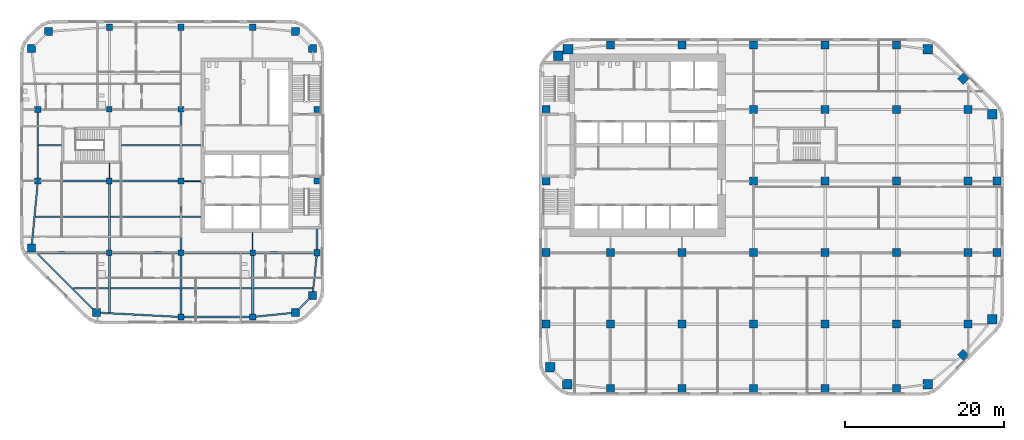
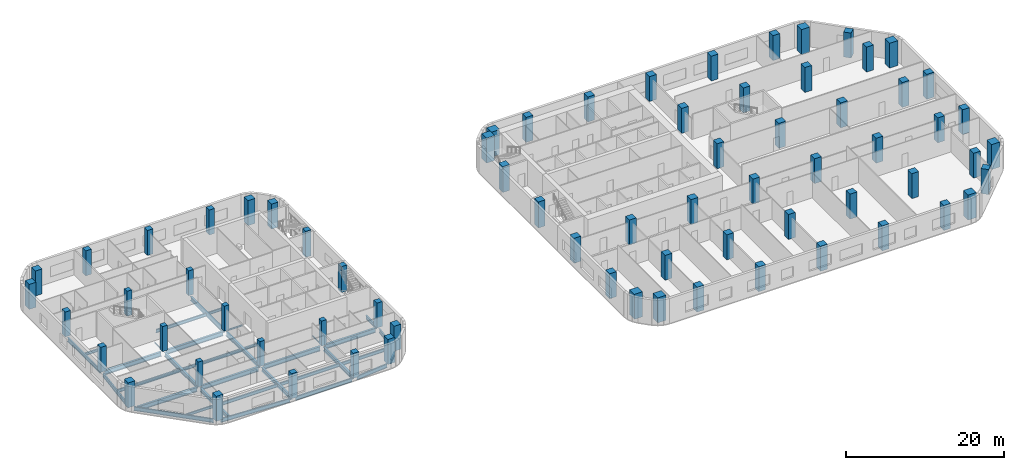
# One storey, part 1 of 16: 71 columns, 34 beams.
"""IFC4 building model written with IfcOpenShell, lengths in metres."""

import ifcopenshell
import ifcopenshell.guid

model = None  # the IFC model being written
_history = None  # IfcOwnerHistory: only IFC2X3 demands one
_inside = {}  # id of a spatial element -> (the spatial element, [elements in it])
_under = {}  # id of a project, library or spatial element -> (it, [spatial elements below it])
_declared = {}  # id of a project -> (the project, [libraries it declares])
_typed = {}  # id of a type object -> (the type object, [elements of that type])
_made_of = {}  # id of a material, layer set ... -> (it, [elements and type objects made of it])


def new_model(schema):
    """Start an empty IFC model of exactly this schema.

    Asked for "IFC4X3", IfcOpenShell would pick the latest addendum, in which some entities
    have other attributes; the version numbers below select the first issue.
    IFC2X3 requires an IfcOwnerHistory on every rooted entity: one is made here for all.
    """
    global model, _history
    if schema == "IFC4X3":
        model = ifcopenshell.file(schema_version=(4, 3, 0, 0))
    else:
        model = ifcopenshell.file(schema=schema)
    _inside.clear()
    _under.clear()
    _declared.clear()
    _typed.clear()
    _made_of.clear()
    _history = None
    if model.schema == "IFC2X3":
        org = make("IfcOrganization", Name="unknown")
        user = make(
            "IfcPersonAndOrganization",
            ThePerson=make("IfcPerson", FamilyName="unknown"),
            TheOrganization=org,
        )
        app = make(
            "IfcApplication",
            ApplicationDeveloper=org,
            Version="unknown",
            ApplicationFullName="unknown",
            ApplicationIdentifier="unknown",
        )
        _history = make(
            "IfcOwnerHistory",
            OwningUser=user,
            OwningApplication=app,
            ChangeAction="ADDED",
            CreationDate=0,
        )
    return model


def make(cls, **values):
    """One entity of the class cls with the attributes given. An attribute that is None is left unset."""
    return model.create_entity(
        cls, **{name: value for name, value in values.items() if value is not None}
    )


def rooted(cls, **values):
    """An entity with a GlobalId (a new one), such as an element, a storey or a relation."""
    return make(cls, GlobalId=ifcopenshell.guid.new(), OwnerHistory=_history, **values)


def si_unit(unit_type, name, prefix=None):
    """IfcSIUnit, for example si_unit("LENGTHUNIT", "METRE", prefix="MILLI")."""
    return make("IfcSIUnit", UnitType=unit_type, Prefix=prefix, Name=name)


def assignment(units):
    """IfcUnitAssignment: the units of a project."""
    return None if units is None else make("IfcUnitAssignment", Units=units)


def point(xyz):
    """IfcCartesianPoint."""
    return None if xyz is None else make("IfcCartesianPoint", Coordinates=xyz)


def direction(xyz):
    """IfcDirection."""
    return None if xyz is None else make("IfcDirection", DirectionRatios=xyz)


def frame(location, z_axis=None, x_axis=None):
    """IfcAxis2Placement3D, a coordinate frame: its origin and axes. An axis left out is left unset."""
    return make(
        "IfcAxis2Placement3D",
        Location=point(location),
        Axis=direction(z_axis),
        RefDirection=direction(x_axis),
    )


def frame_2d(location, x_axis=None):
    """IfcAxis2Placement2D, a coordinate frame in the plane: its origin and x axis."""
    return make(
        "IfcAxis2Placement2D", Location=point(location), RefDirection=direction(x_axis)
    )


def origin():
    """The frame at (0, 0, 0) with its axes left unset."""
    return frame((0.0, 0.0, 0.0))


def origin_2d():
    """The frame at (0, 0) in the plane with its x axis left unset."""
    return frame_2d((0.0, 0.0))


def place(relative_to, where):
    """IfcLocalPlacement: puts the frame where relative to a parent placement (None: the world)."""
    return make(
        "IfcLocalPlacement", PlacementRelTo=relative_to, RelativePlacement=where
    )


def context(
    kind, dimensions, precision=None, world=None, true_north=None, identifier=None
):
    """IfcGeometricRepresentationContext, for example the 3D "Model" context."""
    return make(
        "IfcGeometricRepresentationContext",
        ContextIdentifier=identifier,
        ContextType=kind,
        CoordinateSpaceDimension=dimensions,
        Precision=precision,
        WorldCoordinateSystem=world,
        TrueNorth=true_north,
    )


def subcontext(parent, identifier, kind, view, scale=None):
    """IfcGeometricRepresentationSubContext, for example "Body" below "Model"."""
    return make(
        "IfcGeometricRepresentationSubContext",
        ContextIdentifier=identifier,
        ContextType=kind,
        ParentContext=parent,
        TargetScale=scale,
        TargetView=view,
    )


def project(units=None, contexts=None):
    """IfcProject with its units and contexts."""
    return rooted(
        "IfcProject",
        Name="project",
        RepresentationContexts=contexts,
        UnitsInContext=assignment(units),
    )


def spatial(cls, under=None, at=None, **own):
    """A site, building, storey or space (cls), placed at a placement, below another one or the project."""
    s = rooted(cls, ObjectPlacement=at, **own)
    if under is not None:
        _under.setdefault(under.id(), (under, []))[1].append(s)
    return s


def profile(cls, at=None, kind="AREA", **sizes):
    """A parametric profile (cls). Its sizes go by their IFC names, for example OverallWidth=200.0."""
    return make(cls, ProfileType=kind, Position=at, **sizes)


def rectangle(**sizes):
    """IfcRectangleProfileDef."""
    return profile("IfcRectangleProfileDef", **sizes)


def i_section(**sizes):
    """IfcIShapeProfileDef."""
    return profile("IfcIShapeProfileDef", **sizes)


def extrude(swept, where, along, depth):
    """IfcExtrudedAreaSolid: the profile swept, set in the frame where, extruded along a direction by depth."""
    return make(
        "IfcExtrudedAreaSolid",
        SweptArea=swept,
        Position=where,
        ExtrudedDirection=direction(along),
        Depth=depth,
    )


def shape(context_of_items, identifier, shape_type, items):
    """IfcShapeRepresentation: the items that make up one representation, for example the "Body"."""
    return make(
        "IfcShapeRepresentation",
        ContextOfItems=context_of_items,
        RepresentationIdentifier=identifier,
        RepresentationType=shape_type,
        Items=items,
    )


def material(Name=None, Category=None):
    """IfcMaterial."""
    return make("IfcMaterial", Name=Name, Category=Category)


def material_profile(
    of_material, cross_section, Name=None, Category=None, Priority=None
):
    """IfcMaterialProfile: a cross section and its material."""
    return make(
        "IfcMaterialProfile",
        Name=Name,
        Material=of_material,
        Profile=cross_section,
        Priority=Priority,
        Category=Category,
    )


def profile_set(profiles, Name=None, composite=None):
    """IfcMaterialProfileSet."""
    return make(
        "IfcMaterialProfileSet",
        Name=Name,
        MaterialProfiles=profiles,
        CompositeProfile=composite,
    )


def made_of(thing, what):
    """Note that an element or type object is made of a material, layer set ...; save() writes the relation."""
    if what is not None:
        _made_of.setdefault(what.id(), (what, []))[1].append(thing)
    return thing


def type_object(cls, material=None, **own):
    """A type object (cls), such as IfcWallType, which elements share."""
    return made_of(rooted(cls, **own), material)


def element(
    cls,
    number,
    at=None,
    inside=None,
    cuts=None,
    type_object=None,
    material=None,
    context=None,
    identifier="Body",
    shape_type=None,
    held_by="IfcProductDefinitionShape",
    body=None,
    shapes=None,
    **own,
):
    """One element of the class cls, such as IfcWall. Its Tag is "e" and its number.

    at: its placement. inside: the storey or other place that contains it. cuts: it is an
    opening in that element (IfcRelVoidsElement). A single representation is given by context,
    identifier, shape_type and body (its items); several are given by shapes. held_by: the class
    of the entity that holds the representations. save() writes the other relations.
    """
    e = rooted(cls, Tag="e%d" % number, ObjectPlacement=at, **own)
    if body is not None:
        shapes = [shape(context, identifier, shape_type, body)]
    if shapes is not None:
        e.Representation = make(held_by, Representations=shapes)
    if inside is not None:
        _inside.setdefault(inside.id(), (inside, []))[1].append(e)
    if cuts is not None:
        rooted(
            "IfcRelVoidsElement", RelatingBuildingElement=cuts, RelatedOpeningElement=e
        )
    if type_object is not None:
        _typed.setdefault(type_object.id(), (type_object, []))[1].append(e)
    return made_of(e, material)


def aggregate(whole, parts):
    """IfcRelAggregates: a whole, such as a stair, and the parts it consists of."""
    return rooted("IfcRelAggregates", RelatingObject=whole, RelatedObjects=parts)


def save(model, path):
    """Write the relations noted so far, then the file.

    IfcRelAggregates (storeys below a building ...), IfcRelContainedInSpatialStructure (elements
    in a storey), IfcRelDefinesByType, IfcRelAssociatesMaterial and IfcRelDeclares: one each for
    every whole, place, type object, material and project.
    """
    for whole, parts in _under.values():
        aggregate(whole, parts)
    for where, things in _inside.values():
        rooted(
            "IfcRelContainedInSpatialStructure",
            RelatedElements=things,
            RelatingStructure=where,
        )
    for kind, things in _typed.values():
        rooted("IfcRelDefinesByType", RelatedObjects=things, RelatingType=kind)
    for what, things in _made_of.values():
        rooted("IfcRelAssociatesMaterial", RelatedObjects=things, RelatingMaterial=what)
    for by, libraries in _declared.values():
        rooted("IfcRelDeclares", RelatingContext=by, RelatedDefinitions=libraries)
    model.write(path)


model = new_model("IFC4")

# Units and contexts
model_context = context("Model", 3, precision=1e-05, world=origin(), true_north=direction((0.0, 1.0)))
body_context = subcontext(model_context, "Body", "Model", "MODEL_VIEW")
ifc_project = project(units=[si_unit("LENGTHUNIT", "METRE"), si_unit("AREAUNIT", "SQUARE_METRE"), si_unit("VOLUMEUNIT", "CUBIC_METRE"), si_unit("PLANEANGLEUNIT", "RADIAN"), si_unit("MASSUNIT", "GRAM", prefix="KILO")], contexts=[model_context])

# Site, building, storey
site_placement = place(None, origin())
site = spatial("IfcSite", under=ifc_project, at=site_placement, CompositionType="ELEMENT")
building_placement = place(site_placement, origin())
building = spatial("IfcBuilding", under=site, at=building_placement, Name="Cinnabar Reach Civic Tower", CompositionType="ELEMENT")
storey_placement = place(building_placement, frame((0.0, 0.0, 83.0)))
storey = spatial("IfcBuildingStorey", under=building, at=storey_placement, Name="L19", CompositionType="ELEMENT", Elevation=83.0)

# Columns
ifc_material_1 = material(Name="Concrete C70", Category="concrete")
ifc_material_profile_1 = material_profile(ifc_material_1, rectangle(XDim=1.0, YDim=1.0, at=origin_2d()), Name="RC1000")
ifc_profile_set_1 = profile_set([ifc_material_profile_1], Name="Concrete C70")
column_type_1 = type_object("IfcColumnType", Name="RC1000 column R 180", PredefinedType="COLUMN", material=ifc_profile_set_1)
for number, where, z_axis, x_axis, name in (
    (1, (-55.6481, 10.4531, 0.0), (0.0, 0.0, 1.0), (1.0, 0.0, 0.0), "Column T2-Z2-CC0"),
    (2, (-30.6019, 10.4531, 0.0), (0.0, 0.0, 1.0), (1.0, 0.0, 0.0), "Column T2-Z2-CC1"),
    (3, (-28.4531, 12.6019, 0.0), (0.0, 0.0, 1.0), (1.0, 0.0, 0.0), "Column T2-Z2-CC2"),
    (4, (-28.4531, 43.6481, 0.0), (0.0, 0.0, 1.0), (1.0, 0.0, 0.0), "Column T2-Z2-CC3"),
    (5, (-30.6019, 45.7969, 0.0), (0.0, 0.0, 1.0), (1.0, 0.0, 0.0), "Column T2-Z2-CC4"),
    (6, (-61.6481, 45.7969, 0.0), (0.0, 0.0, 1.0), (1.0, 0.0, 0.0), "Column T2-Z2-CC5"),
    (7, (-63.7969, 43.6481, 0.0), (0.0, 0.0, 1.0), (1.0, 0.0, 0.0), "Column T2-Z2-CC6"),
    (8, (-63.7969, 18.6019, 0.0), (0.0, 0.0, 1.0), (1.0, 0.0, 0.0), "Column T2-Z2-CC7"),
):
    element("IfcColumn", number, at=place(storey_placement, frame(where, z_axis=z_axis, x_axis=x_axis)), inside=storey, type_object=column_type_1, Name=name, PredefinedType="COLUMN", context=body_context, shape_type="SweptSolid", body=[
        extrude(rectangle(XDim=1.0, YDim=1.0, at=origin_2d()), origin(), (0.0, 0.0, 1.0), 3.85),
    ])
ifc_material_profile_2 = material_profile(ifc_material_1, rectangle(XDim=1.0, YDim=1.0, at=origin_2d()), Name="RC1000")
ifc_profile_set_2 = profile_set([ifc_material_profile_2], Name="Concrete C70")
column_type_2 = type_object("IfcColumnType", Name="RC1000 column R 240", PredefinedType="COLUMN", material=ifc_profile_set_2)
for number, where, z_axis, x_axis, name in (
    (9, (9.0, 0.9, 0.0), (0.0, 0.0, 1.0), (1.0, 0.0, 0.0), "Column T1-Z1-F0-1"),
    (10, (18.0, 0.9, 0.0), (0.0, 0.0, 1.0), (1.0, 0.0, 0.0), "Column T1-Z1-F0-2"),
    (11, (27.0, 0.9, 0.0), (0.0, 0.0, 1.0), (1.0, 0.0, 0.0), "Column T1-Z1-F0-3"),
    (12, (36.0, 0.9, 0.0), (0.0, 0.0, 1.0), (1.0, 0.0, 0.0), "Column T1-Z1-F0-4"),
    (13, (45.0, 0.9, 0.0), (0.0, 0.0, 1.0), (1.0, 0.0, 0.0), "Column T1-Z1-F0-5"),
    (14, (53.3636, 5.1364, 0.0), (0.0, 0.0, 1.0), (0.707106781187, 0.707106781187, 0.0), "Column T1-Z1-F1-M"),
    (15, (57.6, 18.0, 0.0), (0.0, 0.0, 1.0), (1.0, 0.0, 0.0), "Column T1-Z1-F2-2"),
    (16, (57.6, 27.0, 0.0), (0.0, 0.0, 1.0), (1.0, 0.0, 0.0), "Column T1-Z1-F2-3"),
    (17, (53.3636, 39.8636, 0.0), (0.0, 0.0, 1.0), (0.707106781187, 0.707106781187, 0.0), "Column T1-Z1-F3-M"),
    (18, (9.0, 44.1, 0.0), (0.0, 0.0, 1.0), (1.0, 0.0, 0.0), "Column T1-Z1-F4-1"),
    (19, (18.0, 44.1, 0.0), (0.0, 0.0, 1.0), (1.0, 0.0, 0.0), "Column T1-Z1-F4-2"),
    (20, (27.0, 44.1, 0.0), (0.0, 0.0, 1.0), (1.0, 0.0, 0.0), "Column T1-Z1-F4-3"),
    (21, (36.0, 44.1, 0.0), (0.0, 0.0, 1.0), (1.0, 0.0, 0.0), "Column T1-Z1-F4-4"),
    (22, (45.0, 44.1, 0.0), (0.0, 0.0, 1.0), (1.0, 0.0, 0.0), "Column T1-Z1-F4-5"),
    (23, (0.9, 9.0, 0.0), (0.0, 0.0, 1.0), (1.0, 0.0, 0.0), "Column T1-Z1-F6-1"),
    (24, (0.9, 18.0, 0.0), (0.0, 0.0, 1.0), (1.0, 0.0, 0.0), "Column T1-Z1-F6-2"),
):
    element("IfcColumn", number, at=place(storey_placement, frame(where, z_axis=z_axis, x_axis=x_axis)), inside=storey, type_object=column_type_2, Name=name, PredefinedType="COLUMN", context=body_context, shape_type="SweptSolid", body=[
        extrude(rectangle(XDim=1.0, YDim=1.0, at=origin_2d()), origin(), (0.0, 0.0, 1.0), 3.85),
    ])
for number, where, z_axis, x_axis, name in (
    (25, (0.9, 27.0, 0.0), (0.0, 0.0, 1.0), (1.0, 0.0, 0.0), "Column T1-Z1-F6-3"),
    (26, (0.9, 36.0, 0.0), (0.0, 0.0, 1.0), (1.0, 0.0, 0.0), "Column T1-Z1-F6-4"),
):
    element("IfcColumn", number, at=place(storey_placement, frame(where, z_axis=z_axis, x_axis=x_axis)), inside=storey, type_object=column_type_2, Name=name, PredefinedType="COLUMN", context=body_context, shape_type="SweptSolid", body=[
        extrude(rectangle(XDim=1.0, YDim=1.0, at=origin_2d()), origin(), (0.0, 0.0, 1.0), 4.0),
    ])
for number, where, z_axis, x_axis, name in (
    (27, (9.0, 9.0, 0.0), (0.0, 0.0, 1.0), (1.0, 0.0, 0.0), "Column T1-Z1-I9_9"),
    (28, (9.0, 18.0, 0.0), (0.0, 0.0, 1.0), (1.0, 0.0, 0.0), "Column T1-Z1-I9_18"),
    (29, (18.0, 9.0, 0.0), (0.0, 0.0, 1.0), (1.0, 0.0, 0.0), "Column T1-Z1-I18_9"),
    (30, (18.0, 18.0, 0.0), (0.0, 0.0, 1.0), (1.0, 0.0, 0.0), "Column T1-Z1-I18_18"),
    (31, (27.0, 9.0, 0.0), (0.0, 0.0, 1.0), (1.0, 0.0, 0.0), "Column T1-Z1-I27_9"),
    (32, (27.0, 18.0, 0.0), (0.0, 0.0, 1.0), (1.0, 0.0, 0.0), "Column T1-Z1-I27_18"),
    (33, (27.0, 27.0, 0.0), (0.0, 0.0, 1.0), (1.0, 0.0, 0.0), "Column T1-Z1-I27_27"),
    (34, (27.0, 36.0, 0.0), (0.0, 0.0, 1.0), (1.0, 0.0, 0.0), "Column T1-Z1-I27_36"),
    (35, (36.0, 9.0, 0.0), (0.0, 0.0, 1.0), (1.0, 0.0, 0.0), "Column T1-Z1-I36_9"),
    (36, (36.0, 18.0, 0.0), (0.0, 0.0, 1.0), (1.0, 0.0, 0.0), "Column T1-Z1-I36_18"),
    (37, (36.0, 27.0, 0.0), (0.0, 0.0, 1.0), (1.0, 0.0, 0.0), "Column T1-Z1-I36_27"),
    (38, (36.0, 36.0, 0.0), (0.0, 0.0, 1.0), (1.0, 0.0, 0.0), "Column T1-Z1-I36_36"),
    (39, (45.0, 9.0, 0.0), (0.0, 0.0, 1.0), (1.0, 0.0, 0.0), "Column T1-Z1-I45_9"),
    (40, (45.0, 18.0, 0.0), (0.0, 0.0, 1.0), (1.0, 0.0, 0.0), "Column T1-Z1-I45_18"),
    (41, (45.0, 27.0, 0.0), (0.0, 0.0, 1.0), (1.0, 0.0, 0.0), "Column T1-Z1-I45_27"),
    (42, (45.0, 36.0, 0.0), (0.0, 0.0, 1.0), (1.0, 0.0, 0.0), "Column T1-Z1-I45_36"),
    (43, (54.0, 9.0, 0.0), (0.0, 0.0, 1.0), (1.0, 0.0, 0.0), "Column T1-Z1-I54_9"),
    (44, (54.0, 18.0, 0.0), (0.0, 0.0, 1.0), (1.0, 0.0, 0.0), "Column T1-Z1-I54_18"),
    (45, (54.0, 27.0, 0.0), (0.0, 0.0, 1.0), (1.0, 0.0, 0.0), "Column T1-Z1-I54_27"),
    (46, (54.0, 36.0, 0.0), (0.0, 0.0, 1.0), (1.0, 0.0, 0.0), "Column T1-Z1-I54_36"),
):
    element("IfcColumn", number, at=place(storey_placement, frame(where, z_axis=z_axis, x_axis=x_axis)), inside=storey, type_object=column_type_2, Name=name, PredefinedType="COLUMN", context=body_context, shape_type="SweptSolid", body=[
        extrude(rectangle(XDim=1.0, YDim=1.0, at=origin_2d()), origin(), (0.0, 0.0, 1.0), 3.85),
    ])
ifc_material_2 = material(Name="Concrete C80", Category="concrete")
ifc_material_profile_3 = material_profile(ifc_material_2, rectangle(XDim=1.2, YDim=1.2, at=origin_2d()), Name="RC1200")
ifc_profile_set_3 = profile_set([ifc_material_profile_3], Name="Concrete C80")
column_type_3 = type_object("IfcColumnType", Name="RC1200 column R 240", PredefinedType="COLUMN", material=ifc_profile_set_3)
for number, where, z_axis, x_axis, name in (
    (47, (3.6019, 1.4531, 0.0), (0.0, 0.0, 1.0), (1.0, 0.0, 0.0), "Column T1-Z1-CC0"),
    (48, (48.8981, 1.4531, 0.0), (0.0, 0.0, 1.0), (1.0, 0.0, 0.0), "Column T1-Z1-CC1"),
    (49, (57.0469, 9.6019, 0.0), (0.0, 0.0, 1.0), (1.0, 0.0, 0.0), "Column T1-Z1-CC2"),
    (50, (57.0469, 35.3981, 0.0), (0.0, 0.0, 1.0), (1.0, 0.0, 0.0), "Column T1-Z1-CC3"),
    (51, (48.8981, 43.5469, 0.0), (0.0, 0.0, 1.0), (1.0, 0.0, 0.0), "Column T1-Z1-CC4"),
    (52, (3.6666, 43.5737, 0.0), (0.0, 0.0, 1.0), (1.0, 0.0, 0.0), "Column T1-Z1-CC5"),
    (53, (2.4631, 42.75, 0.0), (0.0, 0.0, 1.0), (1.0, 0.0, 0.0), "Column T1-Z1-CC6"),
    (54, (1.4531, 3.6019, 0.0), (0.0, 0.0, 1.0), (1.0, 0.0, 0.0), "Column T1-Z1-CC7"),
):
    element("IfcColumn", number, at=place(storey_placement, frame(where, z_axis=z_axis, x_axis=x_axis)), inside=storey, type_object=column_type_3, Name=name, PredefinedType="COLUMN", context=body_context, shape_type="SweptSolid", body=[
        extrude(rectangle(XDim=1.2, YDim=1.2, at=origin_2d()), origin(), (0.0, 0.0, 1.0), 3.85),
    ])
ifc_material_3 = material(Name="Concrete C60", Category="concrete")
ifc_material_profile_4 = material_profile(ifc_material_3, rectangle(XDim=0.7, YDim=0.7, at=origin_2d()), Name="RC700")
ifc_profile_set_4 = profile_set([ifc_material_profile_4], Name="Concrete C60")
column_type_4 = type_object("IfcColumnType", Name="RC700 column R 180", PredefinedType="COLUMN", material=ifc_profile_set_4)
for number, where, z_axis, x_axis, name in (
    (55, (-54.0, 18.0, 0.0), (0.0, 0.0, 1.0), (1.0, 0.0, 0.0), "Column T2-Z2-I-54_18"),
    (56, (-54.0, 27.0, 0.0), (0.0, 0.0, 1.0), (1.0, 0.0, 0.0), "Column T2-Z2-I-54_27"),
    (57, (-54.0, 36.0, 0.0), (0.0, 0.0, 1.0), (1.0, 0.0, 0.0), "Column T2-Z2-I-54_36"),
    (58, (-45.0, 18.0, 0.0), (0.0, 0.0, 1.0), (1.0, 0.0, 0.0), "Column T2-Z2-I-45_18"),
    (59, (-45.0, 27.0, 0.0), (0.0, 0.0, 1.0), (1.0, 0.0, 0.0), "Column T2-Z2-I-45_27"),
    (60, (-45.0, 36.0, 0.0), (0.0, 0.0, 1.0), (1.0, 0.0, 0.0), "Column T2-Z2-I-45_36"),
    (61, (-36.0, 18.0, 0.0), (0.0, 0.0, 1.0), (1.0, 0.0, 0.0), "Column T2-Z2-I-36_18"),
):
    element("IfcColumn", number, at=place(storey_placement, frame(where, z_axis=z_axis, x_axis=x_axis)), inside=storey, type_object=column_type_4, Name=name, PredefinedType="COLUMN", context=body_context, shape_type="SweptSolid", body=[
        extrude(rectangle(XDim=0.7, YDim=0.7, at=origin_2d()), origin(), (0.0, 0.0, 1.0), 3.85),
    ])
ifc_material_profile_5 = material_profile(ifc_material_3, rectangle(XDim=0.8, YDim=0.8, at=origin_2d()), Name="RC800")
ifc_profile_set_5 = profile_set([ifc_material_profile_5], Name="Concrete C60")
column_type_5 = type_object("IfcColumnType", Name="RC800 column R 180", PredefinedType="COLUMN", material=ifc_profile_set_5)
for number, where, z_axis, x_axis, name in (
    (62, (-45.0, 9.9, 0.0), (0.0, 0.0, 1.0), (1.0, 0.0, 0.0), "Column T2-Z2-F0--5"),
    (63, (-36.0, 9.9, 0.0), (0.0, 0.0, 1.0), (1.0, 0.0, 0.0), "Column T2-Z2-F0--4"),
    (64, (-27.9, 18.0, 0.0), (0.0, 0.0, 1.0), (1.0, 0.0, 0.0), "Column T2-Z2-F2-2"),
):
    element("IfcColumn", number, at=place(storey_placement, frame(where, z_axis=z_axis, x_axis=x_axis)), inside=storey, type_object=column_type_5, Name=name, PredefinedType="COLUMN", context=body_context, shape_type="SweptSolid", body=[
        extrude(rectangle(XDim=0.8, YDim=0.8, at=origin_2d()), origin(), (0.0, 0.0, 1.0), 3.85),
    ])
for number, where, z_axis, x_axis, name in (
    (65, (-27.9, 27.0, 0.0), (0.0, 0.0, 1.0), (1.0, 0.0, 0.0), "Column T2-Z2-F2-3"),
    (66, (-27.9, 36.0, 0.0), (0.0, 0.0, 1.0), (1.0, 0.0, 0.0), "Column T2-Z2-F2-4"),
):
    element("IfcColumn", number, at=place(storey_placement, frame(where, z_axis=z_axis, x_axis=x_axis)), inside=storey, type_object=column_type_5, Name=name, PredefinedType="COLUMN", context=body_context, shape_type="SweptSolid", body=[
        extrude(rectangle(XDim=0.8, YDim=0.8, at=origin_2d()), origin(), (0.0, 0.0, 1.0), 4.0),
    ])
for number, where, z_axis, x_axis, name in (
    (67, (-54.0, 46.35, 0.0), (0.0, 0.0, 1.0), (1.0, 0.0, 0.0), "Column T2-Z2-F4--6"),
    (68, (-45.0, 46.35, 0.0), (0.0, 0.0, 1.0), (1.0, 0.0, 0.0), "Column T2-Z2-F4--5"),
    (69, (-36.0, 46.35, 0.0), (0.0, 0.0, 1.0), (1.0, 0.0, 0.0), "Column T2-Z2-F4--4"),
    (70, (-63.0, 27.0, 0.0), (0.0, 0.0, 1.0), (1.0, 0.0, 0.0), "Column T2-Z2-F6-3"),
    (71, (-63.0, 36.0, 0.0), (0.0, 0.0, 1.0), (1.0, 0.0, 0.0), "Column T2-Z2-F6-4"),
):
    element("IfcColumn", number, at=place(storey_placement, frame(where, z_axis=z_axis, x_axis=x_axis)), inside=storey, type_object=column_type_5, Name=name, PredefinedType="COLUMN", context=body_context, shape_type="SweptSolid", body=[
        extrude(rectangle(XDim=0.8, YDim=0.8, at=origin_2d()), origin(), (0.0, 0.0, 1.0), 3.85),
    ])

# Beams
ifc_material_4 = material(Name="Steel Q355B", Category="steel")
ifc_material_profile_6 = material_profile(ifc_material_4, i_section(OverallWidth=0.302, OverallDepth=0.594, WebThickness=0.014, FlangeThickness=0.023, FilletRadius=0.016, at=origin_2d()), Name="HM594x302x14x23")
ifc_profile_set_6 = profile_set([ifc_material_profile_6], Name="Steel Q355B")
beam_type_1 = type_object("IfcBeamType", Name="HM594x302x14x23 beam R 120", PredefinedType="BEAM", material=ifc_profile_set_6)
beam_1_placement = place(storey_placement, frame((-54.0, 10.4696, -0.447), z_axis=(0.0, 1.0, 0.0), x_axis=(-1.0, 0.0, 0.0)))
element("IfcBeam", 72, at=beam_1_placement, inside=storey, type_object=beam_type_1, Name="Girder T2 L19 1", PredefinedType="BEAM", context=body_context, shape_type="SweptSolid", body=[
    extrude(i_section(OverallWidth=0.302, OverallDepth=0.594, WebThickness=0.014, FlangeThickness=0.023, FilletRadius=0.016, at=origin_2d()), origin(), (0.0, 0.0, 1.0), 7.1784),
])
beam_2_placement = place(storey_placement, frame((-54.0, 18.352, -0.447), z_axis=(0.0, 1.0, 0.0), x_axis=(-1.0, 0.0, 0.0)))
element("IfcBeam", 73, at=beam_2_placement, inside=storey, type_object=beam_type_1, Name="Girder T2 L19 2", PredefinedType="BEAM", context=body_context, shape_type="SweptSolid", body=[
    extrude(i_section(OverallWidth=0.302, OverallDepth=0.594, WebThickness=0.014, FlangeThickness=0.023, FilletRadius=0.016, at=origin_2d()), origin(), (0.0, 0.0, 1.0), 8.296),
])
beam_3_placement = place(storey_placement, frame((-45.0, 10.302, -0.447), z_axis=(0.0, 1.0, 0.0), x_axis=(-1.0, 0.0, 0.0)))
element("IfcBeam", 74, at=beam_3_placement, inside=storey, type_object=beam_type_1, Name="Girder T2 L19 6", PredefinedType="BEAM", context=body_context, shape_type="SweptSolid", body=[
    extrude(i_section(OverallWidth=0.302, OverallDepth=0.594, WebThickness=0.014, FlangeThickness=0.023, FilletRadius=0.016, at=origin_2d()), origin(), (0.0, 0.0, 1.0), 7.346),
])
for number, where, z_axis, x_axis, name in (
    (75, (-45.0, 18.352, -0.447), (0.0, 1.0, 0.0), (-1.0, 0.0, 0.0), "Girder T2 L19 7"),
    (76, (-45.0, 27.352, -0.447), (0.0, 1.0, 0.0), (-1.0, 0.0, 0.0), "Girder T2 L19 8"),
):
    element("IfcBeam", number, at=place(storey_placement, frame(where, z_axis=z_axis, x_axis=x_axis)), inside=storey, type_object=beam_type_1, Name=name, PredefinedType="BEAM", context=body_context, shape_type="SweptSolid", body=[
        extrude(i_section(OverallWidth=0.302, OverallDepth=0.594, WebThickness=0.014, FlangeThickness=0.023, FilletRadius=0.016, at=origin_2d()), origin(), (0.0, 0.0, 1.0), 8.296),
    ])
beam_4_placement = place(storey_placement, frame((-36.0, 10.302, -0.447), z_axis=(0.0, 1.0, 0.0), x_axis=(-1.0, 0.0, 0.0)))
element("IfcBeam", 77, at=beam_4_placement, inside=storey, type_object=beam_type_1, Name="Girder T2 L19 10", PredefinedType="BEAM", context=body_context, shape_type="SweptSolid", body=[
    extrude(i_section(OverallWidth=0.302, OverallDepth=0.594, WebThickness=0.014, FlangeThickness=0.023, FilletRadius=0.016, at=origin_2d()), origin(), (0.0, 0.0, 1.0), 7.346),
])
ifc_material_profile_7 = material_profile(ifc_material_4, i_section(OverallWidth=0.099, OverallDepth=0.198, WebThickness=0.0045, FlangeThickness=0.007, FilletRadius=0.013, at=origin_2d()), Name="HN200x100x5.5x8")
ifc_profile_set_7 = profile_set([ifc_material_profile_7], Name="Steel Q355B")
beam_type_2 = type_object("IfcBeamType", Name="HN200x100x5.5x8 beam R 120", PredefinedType="BEAM", material=ifc_profile_set_7)
beam_5_placement = place(storey_placement, frame((-54.0, 27.352, -0.249), z_axis=(0.0, 1.0, 0.0), x_axis=(-1.0, 0.0, 0.0)))
element("IfcBeam", 78, at=beam_5_placement, inside=storey, type_object=beam_type_2, Name="Girder T2 L19 3", PredefinedType="BEAM", context=body_context, shape_type="SweptSolid", body=[
    extrude(i_section(OverallWidth=0.099, OverallDepth=0.198, WebThickness=0.0045, FlangeThickness=0.007, FilletRadius=0.013, at=origin_2d()), origin(), (0.0, 0.0, 1.0), 1.896),
])
beam_6_placement = place(storey_placement, frame((-36.0, 18.352, -0.249), z_axis=(0.0, 1.0, 0.0), x_axis=(-1.0, 0.0, 0.0)))
element("IfcBeam", 79, at=beam_6_placement, inside=storey, type_object=beam_type_2, Name="Girder T2 L19 11", PredefinedType="BEAM", context=body_context, shape_type="SweptSolid", body=[
    extrude(i_section(OverallWidth=0.099, OverallDepth=0.198, WebThickness=0.0045, FlangeThickness=0.007, FilletRadius=0.013, at=origin_2d()), origin(), (0.0, 0.0, 1.0), 2.146),
])
ifc_material_profile_8 = material_profile(ifc_material_4, i_section(OverallWidth=0.124, OverallDepth=0.248, WebThickness=0.005, FlangeThickness=0.008, FilletRadius=0.013, at=origin_2d()), Name="HN250x125x6x9")
ifc_profile_set_8 = profile_set([ifc_material_profile_8], Name="Steel Q355B")
beam_type_3 = type_object("IfcBeamType", Name="HN250x125x6x9 beam R 120", PredefinedType="BEAM", material=ifc_profile_set_8)
beam_7_placement = place(storey_placement, frame((-44.648, 27.0, -0.274), z_axis=(1.0, 0.0, 0.0), x_axis=(0.0, 1.0, 0.0)))
element("IfcBeam", 80, at=beam_7_placement, inside=storey, type_object=beam_type_3, Name="Girder T2 L19 7", PredefinedType="BEAM", context=body_context, shape_type="SweptSolid", body=[
    extrude(i_section(OverallWidth=0.124, OverallDepth=0.248, WebThickness=0.005, FlangeThickness=0.008, FilletRadius=0.013, at=origin_2d()), origin(), (0.0, 0.0, 1.0), 2.146),
])
ifc_material_profile_9 = material_profile(ifc_material_4, i_section(OverallWidth=0.199, OverallDepth=0.396, WebThickness=0.007, FlangeThickness=0.011, FilletRadius=0.013, at=origin_2d()), Name="HN396x199x7x11")
ifc_profile_set_9 = profile_set([ifc_material_profile_9], Name="Steel Q355B")
beam_type_4 = type_object("IfcBeamType", Name="HN396x199x7x11 beam R 120", PredefinedType="BEAM", material=ifc_profile_set_9)
beam_8_placement = place(storey_placement, frame((-58.5508, 13.5, -0.348), z_axis=(1.0, 0.0, 0.0), x_axis=(0.0, 1.0, 0.0)))
element("IfcBeam", 81, at=beam_8_placement, inside=storey, type_object=beam_type_4, Name="Secondary beam T2 L19 1", PredefinedType="BEAM", context=body_context, shape_type="SweptSolid", body=[
    extrude(i_section(OverallWidth=0.199, OverallDepth=0.396, WebThickness=0.007, FlangeThickness=0.011, FilletRadius=0.013, at=origin_2d()), origin(), (0.0, 0.0, 1.0), 4.3978),
])
beam_9_placement = place(storey_placement, frame((-44.847, 22.5, -0.348), z_axis=(1.0, 0.0, 0.0), x_axis=(0.0, 1.0, 0.0)))
element("IfcBeam", 82, at=beam_9_placement, inside=storey, type_object=beam_type_4, Name="Secondary beam T2 L19 7", PredefinedType="BEAM", context=body_context, shape_type="SweptSolid", body=[
    extrude(i_section(OverallWidth=0.199, OverallDepth=0.396, WebThickness=0.007, FlangeThickness=0.011, FilletRadius=0.013, at=origin_2d()), origin(), (0.0, 0.0, 1.0), 2.345),
])
beam_10_placement = place(storey_placement, frame((-62.898, 31.5, -0.348), z_axis=(1.0, 0.0, 0.0), x_axis=(0.0, 1.0, 0.0)))
element("IfcBeam", 83, at=beam_10_placement, inside=storey, type_object=beam_type_4, Name="Secondary beam T2 L19 8", PredefinedType="BEAM", context=body_context, shape_type="SweptSolid", body=[
    extrude(i_section(OverallWidth=0.199, OverallDepth=0.396, WebThickness=0.007, FlangeThickness=0.011, FilletRadius=0.013, at=origin_2d()), origin(), (0.0, 0.0, 1.0), 2.896),
])
beam_11_placement = place(storey_placement, frame((-44.847, 31.5, -0.348), z_axis=(1.0, 0.0, 0.0), x_axis=(0.0, 1.0, 0.0)))
element("IfcBeam", 84, at=beam_11_placement, inside=storey, type_object=beam_type_4, Name="Secondary beam T2 L19 10", PredefinedType="BEAM", context=body_context, shape_type="SweptSolid", body=[
    extrude(i_section(OverallWidth=0.199, OverallDepth=0.396, WebThickness=0.007, FlangeThickness=0.011, FilletRadius=0.013, at=origin_2d()), origin(), (0.0, 0.0, 1.0), 2.345),
])
ifc_material_profile_10 = material_profile(ifc_material_4, i_section(OverallWidth=0.199, OverallDepth=0.496, WebThickness=0.009, FlangeThickness=0.014, FilletRadius=0.016, at=origin_2d()), Name="HN496x199x9x14")
ifc_profile_set_10 = profile_set([ifc_material_profile_10], Name="Steel Q355B")
beam_type_5 = type_object("IfcBeamType", Name="HN496x199x9x14 beam R 120", PredefinedType="BEAM", material=ifc_profile_set_10)
for number, where, z_axis, x_axis, name in (
    (85, (-53.847, 13.5, -0.398), (1.0, 0.0, 0.0), (0.0, 1.0, 0.0), "Secondary beam T2 L19 2"),
    (86, (-44.847, 13.5, -0.398), (1.0, 0.0, 0.0), (0.0, 1.0, 0.0), "Secondary beam T2 L19 3"),
):
    element("IfcBeam", number, at=place(storey_placement, frame(where, z_axis=z_axis, x_axis=x_axis)), inside=storey, type_object=beam_type_5, Name=name, PredefinedType="BEAM", context=body_context, shape_type="SweptSolid", body=[
        extrude(i_section(OverallWidth=0.199, OverallDepth=0.496, WebThickness=0.009, FlangeThickness=0.014, FilletRadius=0.016, at=origin_2d()), origin(), (0.0, 0.0, 1.0), 8.694),
    ])
beam_12_placement = place(storey_placement, frame((-35.847, 13.5, -0.398), z_axis=(1.0, 0.0, 0.0), x_axis=(0.0, 1.0, 0.0)))
element("IfcBeam", 87, at=beam_12_placement, inside=storey, type_object=beam_type_5, Name="Secondary beam T2 L19 4", PredefinedType="BEAM", context=body_context, shape_type="SweptSolid", body=[
    extrude(i_section(OverallWidth=0.199, OverallDepth=0.496, WebThickness=0.009, FlangeThickness=0.014, FilletRadius=0.016, at=origin_2d()), origin(), (0.0, 0.0, 1.0), 7.3834),
])
beam_13_placement = place(storey_placement, frame((-63.3245, 22.5, -0.398), z_axis=(1.0, 0.0, 0.0), x_axis=(0.0, 1.0, 0.0)))
element("IfcBeam", 88, at=beam_13_placement, inside=storey, type_object=beam_type_5, Name="Secondary beam T2 L19 5", PredefinedType="BEAM", context=body_context, shape_type="SweptSolid", body=[
    extrude(i_section(OverallWidth=0.199, OverallDepth=0.496, WebThickness=0.009, FlangeThickness=0.014, FilletRadius=0.016, at=origin_2d()), origin(), (0.0, 0.0, 1.0), 9.1715),
])
beam_14_placement = place(storey_placement, frame((-53.847, 22.5, -0.398), z_axis=(1.0, 0.0, 0.0), x_axis=(0.0, 1.0, 0.0)))
element("IfcBeam", 89, at=beam_14_placement, inside=storey, type_object=beam_type_5, Name="Secondary beam T2 L19 6", PredefinedType="BEAM", context=body_context, shape_type="SweptSolid", body=[
    extrude(i_section(OverallWidth=0.199, OverallDepth=0.496, WebThickness=0.009, FlangeThickness=0.014, FilletRadius=0.016, at=origin_2d()), origin(), (0.0, 0.0, 1.0), 8.694),
])
beam_15_placement = place(storey_placement, frame((-52.498, 31.5, -0.398), z_axis=(1.0, 0.0, 0.0), x_axis=(0.0, 1.0, 0.0)))
element("IfcBeam", 90, at=beam_15_placement, inside=storey, type_object=beam_type_5, Name="Secondary beam T2 L19 9", PredefinedType="BEAM", context=body_context, shape_type="SweptSolid", body=[
    extrude(i_section(OverallWidth=0.199, OverallDepth=0.496, WebThickness=0.009, FlangeThickness=0.014, FilletRadius=0.016, at=origin_2d()), origin(), (0.0, 0.0, 1.0), 7.345),
])
ifc_material_profile_11 = material_profile(ifc_material_4, i_section(OverallWidth=0.2, OverallDepth=0.6, WebThickness=0.011, FlangeThickness=0.017, FilletRadius=0.016, at=origin_2d()), Name="HN600x200x11x17")
ifc_profile_set_11 = profile_set([ifc_material_profile_11], Name="Steel Q355B")
beam_type_6 = type_object("IfcBeamType", Name="HN600x200x11x17 beam R 120", PredefinedType="BEAM", material=ifc_profile_set_11)
beam_16_placement = place(storey_placement, frame((-55.2661, 10.4333, -0.45), z_axis=(0.998653533726, -0.051876001934, 0.0), x_axis=(0.051876001934, 0.998653533726, 0.0)))
element("IfcBeam", 91, at=beam_16_placement, inside=storey, type_object=beam_type_6, Name="Edge beam T2 L19 1", PredefinedType="BEAM", context=body_context, shape_type="SweptSolid", body=[
    extrude(i_section(OverallWidth=0.2, OverallDepth=0.6, WebThickness=0.011, FlangeThickness=0.017, FilletRadius=0.016, at=origin_2d()), origin(), (0.0, 0.0, 1.0), 9.8774),
])
beam_17_placement = place(storey_placement, frame((-44.598, 9.9, -0.45), z_axis=(1.0, 0.0, 0.0), x_axis=(0.0, 1.0, 0.0)))
element("IfcBeam", 92, at=beam_17_placement, inside=storey, type_object=beam_type_6, Name="Edge beam T2 L19 2", PredefinedType="BEAM", context=body_context, shape_type="SweptSolid", body=[
    extrude(i_section(OverallWidth=0.2, OverallDepth=0.6, WebThickness=0.011, FlangeThickness=0.017, FilletRadius=0.016, at=origin_2d()), origin(), (0.0, 0.0, 1.0), 8.196),
])
beam_18_placement = place(storey_placement, frame((-35.598, 9.9412, -0.45), z_axis=(0.994791084875, 0.101934770579, 0.0), x_axis=(-0.101934770579, 0.994791084875, 0.0)))
element("IfcBeam", 93, at=beam_18_placement, inside=storey, type_object=beam_type_6, Name="Edge beam T2 L19 3", PredefinedType="BEAM", context=body_context, shape_type="SweptSolid", body=[
    extrude(i_section(OverallWidth=0.2, OverallDepth=0.6, WebThickness=0.011, FlangeThickness=0.017, FilletRadius=0.016, at=origin_2d()), origin(), (0.0, 0.0, 1.0), 4.6383),
])
beam_19_placement = place(storey_placement, frame((-30.2199, 10.8351, -0.45), z_axis=(0.707106781187, 0.707106781187, 0.0), x_axis=(-0.707106781187, 0.707106781187, 0.0)))
element("IfcBeam", 94, at=beam_19_placement, inside=storey, type_object=beam_type_6, Name="Edge beam T2 L19 4", PredefinedType="BEAM", context=body_context, shape_type="SweptSolid", body=[
    extrude(i_section(OverallWidth=0.2, OverallDepth=0.6, WebThickness=0.011, FlangeThickness=0.017, FilletRadius=0.016, at=origin_2d()), origin(), (0.0, 0.0, 1.0), 1.9584),
])
beam_20_placement = place(storey_placement, frame((-28.414, 12.9839, -0.45), z_axis=(0.101934770579, 0.994791084875, 0.0), x_axis=(-0.994791084875, 0.101934770579, 0.0)))
element("IfcBeam", 95, at=beam_20_placement, inside=storey, type_object=beam_type_6, Name="Edge beam T2 L19 5", PredefinedType="BEAM", context=body_context, shape_type="SweptSolid", body=[
    extrude(i_section(OverallWidth=0.2, OverallDepth=0.6, WebThickness=0.011, FlangeThickness=0.017, FilletRadius=0.016, at=origin_2d()), origin(), (0.0, 0.0, 1.0), 4.6383),
])
beam_21_placement = place(storey_placement, frame((-27.9, 18.402, -0.45), z_axis=(0.0, 1.0, 0.0), x_axis=(-1.0, 0.0, 0.0)))
element("IfcBeam", 96, at=beam_21_placement, inside=storey, type_object=beam_type_6, Name="Edge beam T2 L19 6", PredefinedType="BEAM", context=body_context, shape_type="SweptSolid", body=[
    extrude(i_section(OverallWidth=0.2, OverallDepth=0.6, WebThickness=0.011, FlangeThickness=0.017, FilletRadius=0.016, at=origin_2d()), origin(), (0.0, 0.0, 1.0), 2.596),
])
beam_22_placement = place(storey_placement, frame((-63.0, 35.598, -0.45), z_axis=(0.0, -1.0, 0.0), x_axis=(1.0, 0.0, 0.0)))
element("IfcBeam", 97, at=beam_22_placement, inside=storey, type_object=beam_type_6, Name="Edge beam T2 L19 16", PredefinedType="BEAM", context=body_context, shape_type="SweptSolid", body=[
    extrude(i_section(OverallWidth=0.2, OverallDepth=0.6, WebThickness=0.011, FlangeThickness=0.017, FilletRadius=0.016, at=origin_2d()), origin(), (0.0, 0.0, 1.0), 8.196),
])
beam_23_placement = place(storey_placement, frame((-63.0381, 26.598, -0.45), z_axis=(-0.094478368886, -0.99552691466, 0.0), x_axis=(0.99552691466, -0.094478368886, 0.0)))
element("IfcBeam", 98, at=beam_23_placement, inside=storey, type_object=beam_type_6, Name="Edge beam T2 L19 17", PredefinedType="BEAM", context=body_context, shape_type="SweptSolid", body=[
    extrude(i_section(OverallWidth=0.2, OverallDepth=0.6, WebThickness=0.011, FlangeThickness=0.017, FilletRadius=0.016, at=origin_2d()), origin(), (0.0, 0.0, 1.0), 7.6483),
])
beam_24_placement = place(storey_placement, frame((-63.4149, 18.2199, -0.45), z_axis=(0.707106781187, -0.707106781187, 0.0), x_axis=(0.707106781187, 0.707106781187, 0.0)))
element("IfcBeam", 99, at=beam_24_placement, inside=storey, type_object=beam_type_6, Name="Edge beam T2 L19 18", PredefinedType="BEAM", context=body_context, shape_type="SweptSolid", body=[
    extrude(i_section(OverallWidth=0.2, OverallDepth=0.6, WebThickness=0.011, FlangeThickness=0.017, FilletRadius=0.016, at=origin_2d()), origin(), (0.0, 0.0, 1.0), 10.4437),
])
ifc_material_profile_12 = material_profile(ifc_material_4, i_section(OverallWidth=0.3, OverallDepth=0.692, WebThickness=0.013, FlangeThickness=0.02, FilletRadius=0.016, at=origin_2d()), Name="HN692x300x13x20")
ifc_profile_set_12 = profile_set([ifc_material_profile_12], Name="Steel Q355B")
beam_type_7 = type_object("IfcBeamType", Name="HN692x300x13x20 beam R 120", PredefinedType="BEAM", material=ifc_profile_set_12)
beam_25_placement = place(storey_placement, frame((-63.0508, 18.0, -0.496), z_axis=(1.0, 0.0, 0.0), x_axis=(0.0, 1.0, 0.0)))
element("IfcBeam", 100, at=beam_25_placement, inside=storey, type_object=beam_type_7, Name="Girder T2 L19 1", PredefinedType="BEAM", context=body_context, shape_type="SweptSolid", body=[
    extrude(i_section(OverallWidth=0.3, OverallDepth=0.692, WebThickness=0.013, FlangeThickness=0.02, FilletRadius=0.016, at=origin_2d()), origin(), (0.0, 0.0, 1.0), 8.6988),
])
for number, where, z_axis, x_axis, name in (
    (101, (-53.648, 18.0, -0.496), (1.0, 0.0, 0.0), (0.0, 1.0, 0.0), "Girder T2 L19 2"),
    (102, (-44.648, 18.0, -0.496), (1.0, 0.0, 0.0), (0.0, 1.0, 0.0), "Girder T2 L19 3"),
):
    element("IfcBeam", number, at=place(storey_placement, frame(where, z_axis=z_axis, x_axis=x_axis)), inside=storey, type_object=beam_type_7, Name=name, PredefinedType="BEAM", context=body_context, shape_type="SweptSolid", body=[
        extrude(i_section(OverallWidth=0.3, OverallDepth=0.692, WebThickness=0.013, FlangeThickness=0.02, FilletRadius=0.016, at=origin_2d()), origin(), (0.0, 0.0, 1.0), 8.296),
    ])
beam_26_placement = place(storey_placement, frame((-35.648, 18.0, -0.496), z_axis=(1.0, 0.0, 0.0), x_axis=(0.0, 1.0, 0.0)))
element("IfcBeam", 103, at=beam_26_placement, inside=storey, type_object=beam_type_7, Name="Girder T2 L19 4", PredefinedType="BEAM", context=body_context, shape_type="SweptSolid", body=[
    extrude(i_section(OverallWidth=0.3, OverallDepth=0.692, WebThickness=0.013, FlangeThickness=0.02, FilletRadius=0.016, at=origin_2d()), origin(), (0.0, 0.0, 1.0), 7.346),
])
beam_27_placement = place(storey_placement, frame((-62.598, 27.0, -0.496), z_axis=(1.0, 0.0, 0.0), x_axis=(0.0, 1.0, 0.0)))
element("IfcBeam", 104, at=beam_27_placement, inside=storey, type_object=beam_type_7, Name="Girder T2 L19 5", PredefinedType="BEAM", context=body_context, shape_type="SweptSolid", body=[
    extrude(i_section(OverallWidth=0.3, OverallDepth=0.692, WebThickness=0.013, FlangeThickness=0.02, FilletRadius=0.016, at=origin_2d()), origin(), (0.0, 0.0, 1.0), 8.246),
])
beam_28_placement = place(storey_placement, frame((-53.648, 27.0, -0.496), z_axis=(1.0, 0.0, 0.0), x_axis=(0.0, 1.0, 0.0)))
element("IfcBeam", 105, at=beam_28_placement, inside=storey, type_object=beam_type_7, Name="Girder T2 L19 6", PredefinedType="BEAM", context=body_context, shape_type="SweptSolid", body=[
    extrude(i_section(OverallWidth=0.3, OverallDepth=0.692, WebThickness=0.013, FlangeThickness=0.02, FilletRadius=0.016, at=origin_2d()), origin(), (0.0, 0.0, 1.0), 8.296),
])

save(model, "model.ifc")
